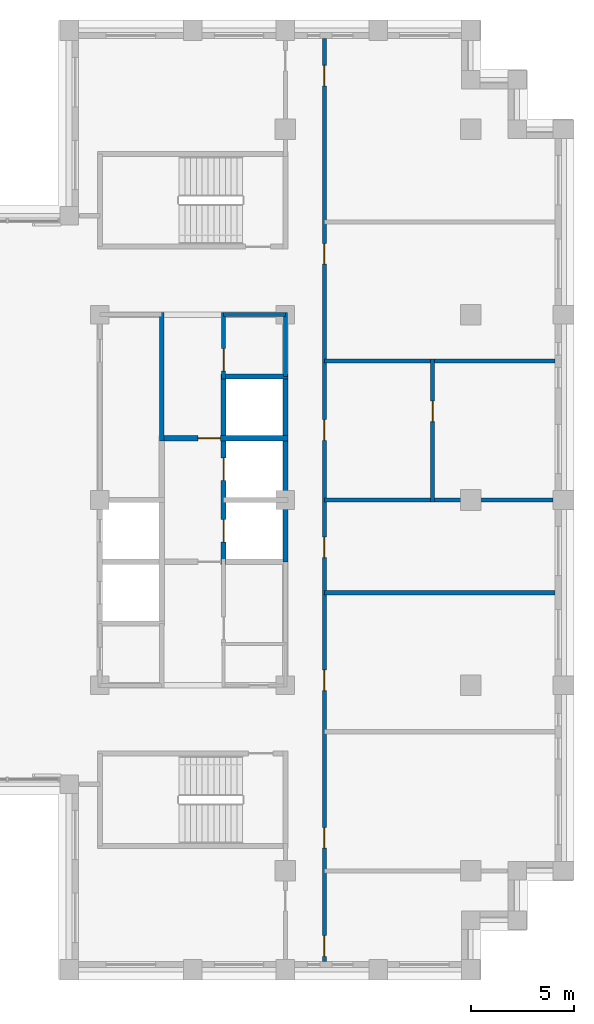
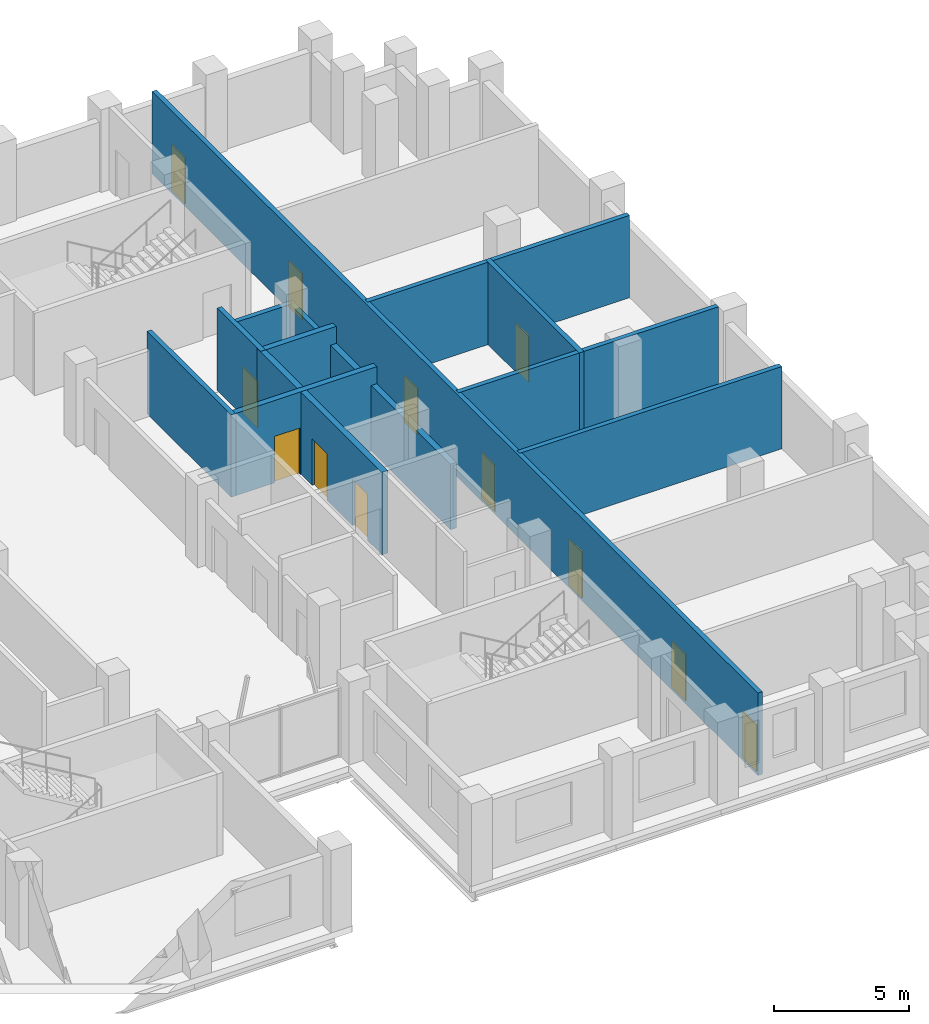
# One storey, part 9 of 15: 13 walls, 12 doors, 12 openings.
"""IFC4 building model written with IfcOpenShell, lengths in metres."""

from ifc_helpers import new_model, si_unit, direction, frame, frame_2d, origin, place, context, subcontext, project, spatial, rectangle, extrude, material, layer, layer_set, type_object, element, fill, save


model = new_model("IFC4")

# Units and contexts
model_context = context("Model", 3, precision=1e-05, world=origin(), true_north=direction((0.0, 1.0)))
body_context = subcontext(model_context, "Body", "Model", "MODEL_VIEW")
ifc_project = project(units=[si_unit("LENGTHUNIT", "METRE"), si_unit("AREAUNIT", "SQUARE_METRE"), si_unit("VOLUMEUNIT", "CUBIC_METRE"), si_unit("PLANEANGLEUNIT", "RADIAN"), si_unit("MASSUNIT", "GRAM", prefix="KILO")], contexts=[model_context])

# Site, building, storey
site_placement = place(None, origin())
site = spatial("IfcSite", under=ifc_project, at=site_placement, CompositionType="ELEMENT")
building_placement = place(site_placement, origin())
building = spatial("IfcBuilding", under=site, at=building_placement, Name="Corbelhall Arena Tower", CompositionType="ELEMENT")
storey_placement = place(building_placement, frame((0.0, 0.0, 228.0)))
storey = spatial("IfcBuildingStorey", under=building, at=storey_placement, Name="L48", CompositionType="ELEMENT", Elevation=228.0)

# Wall, openings, doors
ifc_material_1 = material(Name="Gypsum board on steel stud, acoustic", Category="steel")
ifc_layer_1 = layer(ifc_material_1, 0.199951171875)
ifc_layer_set_1 = layer_set([ifc_layer_1], Name="IN-W-DM200")
wall_type_1 = type_object("IfcWallType", Name="IN-W-DM200", PredefinedType="PARTITIONING", material=ifc_layer_set_1)
wall_1_placement = place(storey_placement, frame((15.39990234375, 22.39990234375, 0.0), z_axis=(0.0, 0.0, 1.0), x_axis=(0.0, -1.0, 0.0)))
wall_1 = element("IfcWall", 1, at=wall_1_placement, inside=storey, type_object=wall_type_1, Name="Partition 027", PredefinedType="PARTITIONING", context=body_context, shape_type="SweptSolid", body=[
    extrude(rectangle(XDim=44.7998046875, YDim=0.199951171875, at=frame_2d((22.39990234375, 0.0))), origin(), (0.0, 0.0, 1.0), 3.719970703125),
])
opening_1_placement = place(wall_1_placement, frame((18.5, 0.0, 0.0)))
opening_1 = element("IfcOpeningElement", 2, at=opening_1_placement, cuts=wall_1, Name="Opening 15029", PredefinedType="OPENING", context=body_context, shape_type="SweptSolid", body=[
    extrude(rectangle(XDim=1.0, YDim=2.10009765625, at=frame_2d((0.5, 1.050048828125))), frame((0.0, 0.10009765625, 0.0), z_axis=(0.0, -1.0, 0.0), x_axis=(1.0, 0.0, 0.0)), (0.0, 0.0, 1.0), 0.199951171875),
])
opening_2_placement = place(wall_1_placement, frame((9.949951171875, 0.0, 0.0)))
opening_2 = element("IfcOpeningElement", 3, at=opening_2_placement, cuts=wall_1, Name="Opening 15031", PredefinedType="OPENING", context=body_context, shape_type="SweptSolid", body=[
    extrude(rectangle(XDim=1.0, YDim=2.10009765625, at=frame_2d((0.5, 1.050048828125))), frame((0.0, 0.10009765625, 0.0), z_axis=(0.0, -1.0, 0.0), x_axis=(1.0, 0.0, 0.0)), (0.0, 0.0, 1.0), 0.199951171875),
])
opening_3_placement = place(wall_1_placement, frame((1.300048828125, 0.0, 0.0)))
opening_3 = element("IfcOpeningElement", 4, at=opening_3_placement, cuts=wall_1, Name="Opening 15032", PredefinedType="OPENING", context=body_context, shape_type="SweptSolid", body=[
    extrude(rectangle(XDim=1.0, YDim=2.10009765625, at=frame_2d((0.5, 1.050048828125))), frame((0.0, 0.10009765625, 0.0), z_axis=(0.0, -1.0, 0.0), x_axis=(1.0, 0.0, 0.0)), (0.0, 0.0, 1.0), 0.199951171875),
])
opening_4_placement = place(wall_1_placement, frame((43.550048828125, 0.0, 0.0)))
opening_4 = element("IfcOpeningElement", 5, at=opening_4_placement, cuts=wall_1, Name="Opening 15033", PredefinedType="OPENING", context=body_context, shape_type="SweptSolid", body=[
    extrude(rectangle(XDim=1.0, YDim=2.10009765625, at=frame_2d((0.5, 1.050048828125))), frame((0.0, 0.10009765625, 0.0), z_axis=(0.0, -1.0, 0.0), x_axis=(1.0, 0.0, 0.0)), (0.0, 0.0, 1.0), 0.199951171875),
])
opening_5_placement = place(wall_1_placement, frame((38.300048828125, 0.0, 0.0)))
opening_5 = element("IfcOpeningElement", 6, at=opening_5_placement, cuts=wall_1, Name="Opening 15034", PredefinedType="OPENING", context=body_context, shape_type="SweptSolid", body=[
    extrude(rectangle(XDim=1.0, YDim=2.10009765625, at=frame_2d((0.5, 1.050048828125))), frame((0.0, 0.10009765625, 0.0), z_axis=(0.0, -1.0, 0.0), x_axis=(1.0, 0.0, 0.0)), (0.0, 0.0, 1.0), 0.199951171875),
])
opening_6_placement = place(wall_1_placement, frame((30.64990234375, 0.0, 0.0)))
opening_6 = element("IfcOpeningElement", 7, at=opening_6_placement, cuts=wall_1, Name="Opening 15035", PredefinedType="OPENING", context=body_context, shape_type="SweptSolid", body=[
    extrude(rectangle(XDim=1.0, YDim=2.10009765625, at=frame_2d((0.5, 1.050048828125))), frame((0.0, 0.10009765625, 0.0), z_axis=(0.0, -1.0, 0.0), x_axis=(1.0, 0.0, 0.0)), (0.0, 0.0, 1.0), 0.199951171875),
])
opening_7_placement = place(wall_1_placement, frame((24.199951171875, 0.0, 0.0)))
opening_7 = element("IfcOpeningElement", 8, at=opening_7_placement, cuts=wall_1, Name="Opening 15036", PredefinedType="OPENING", context=body_context, shape_type="SweptSolid", body=[
    extrude(rectangle(XDim=1.0, YDim=2.10009765625, at=frame_2d((0.5, 1.050048828125))), frame((0.0, 0.10009765625, 0.0), z_axis=(0.0, -1.0, 0.0), x_axis=(1.0, 0.0, 0.0)), (0.0, 0.0, 1.0), 0.199951171875),
])
ifc_material_2 = material(Name="Steel door set", Category="steel")
door_type_1 = type_object("IfcDoorType", Name="IN-D-SW100", OperationType="NOTDEFINED", PredefinedType="DOOR", material=ifc_material_2)
door_1_placement = place(opening_1_placement, origin())
door_1 = element("IfcDoor", 9, at=door_1_placement, inside=storey, type_object=door_type_1, Name="Door 029", OperationType="SINGLE_SWING_RIGHT", OverallHeight=2.10009765625, OverallWidth=1.0, PredefinedType="DOOR", context=body_context, shape_type="SweptSolid", body=[
    extrude(rectangle(XDim=1.0, YDim=2.10009765625, at=frame_2d((0.5, 1.050048828125))), frame((0.0, 0.02490234375, 0.0), z_axis=(0.0, -1.0, 0.0), x_axis=(1.0, 0.0, 0.0)), (0.0, 0.0, 1.0), 0.050048828125),
])
fill(opening_1, door_1)
door_2_placement = place(opening_2_placement, origin())
door_2 = element("IfcDoor", 10, at=door_2_placement, inside=storey, type_object=door_type_1, Name="Door 031", OperationType="SINGLE_SWING_RIGHT", OverallHeight=2.10009765625, OverallWidth=1.0, PredefinedType="DOOR", context=body_context, shape_type="SweptSolid", body=[
    extrude(rectangle(XDim=1.0, YDim=2.10009765625, at=frame_2d((0.5, 1.050048828125))), frame((0.0, 0.02490234375, 0.0), z_axis=(0.0, -1.0, 0.0), x_axis=(1.0, 0.0, 0.0)), (0.0, 0.0, 1.0), 0.050048828125),
])
fill(opening_2, door_2)
door_3_placement = place(opening_3_placement, origin())
door_3 = element("IfcDoor", 11, at=door_3_placement, inside=storey, type_object=door_type_1, Name="Door 032", OperationType="SINGLE_SWING_LEFT", OverallHeight=2.10009765625, OverallWidth=1.0, PredefinedType="DOOR", context=body_context, shape_type="SweptSolid", body=[
    extrude(rectangle(XDim=1.0, YDim=2.10009765625, at=frame_2d((0.5, 1.050048828125))), frame((0.0, 0.02490234375, 0.0), z_axis=(0.0, -1.0, 0.0), x_axis=(1.0, 0.0, 0.0)), (0.0, 0.0, 1.0), 0.050048828125),
])
fill(opening_3, door_3)
door_4_placement = place(opening_4_placement, origin())
door_4 = element("IfcDoor", 12, at=door_4_placement, inside=storey, type_object=door_type_1, Name="Door 033", OperationType="SINGLE_SWING_RIGHT", OverallHeight=2.10009765625, OverallWidth=1.0, PredefinedType="DOOR", context=body_context, shape_type="SweptSolid", body=[
    extrude(rectangle(XDim=1.0, YDim=2.10009765625, at=frame_2d((0.5, 1.050048828125))), frame((0.0, 0.02490234375, 0.0), z_axis=(0.0, -1.0, 0.0), x_axis=(1.0, 0.0, 0.0)), (0.0, 0.0, 1.0), 0.050048828125),
])
fill(opening_4, door_4)
door_5_placement = place(opening_5_placement, origin())
door_5 = element("IfcDoor", 13, at=door_5_placement, inside=storey, type_object=door_type_1, Name="Door 034", OperationType="SINGLE_SWING_LEFT", OverallHeight=2.10009765625, OverallWidth=1.0, PredefinedType="DOOR", context=body_context, shape_type="SweptSolid", body=[
    extrude(rectangle(XDim=1.0, YDim=2.10009765625, at=frame_2d((0.5, 1.050048828125))), frame((0.0, 0.02490234375, 0.0), z_axis=(0.0, -1.0, 0.0), x_axis=(1.0, 0.0, 0.0)), (0.0, 0.0, 1.0), 0.050048828125),
])
fill(opening_5, door_5)
door_6_placement = place(opening_6_placement, origin())
door_6 = element("IfcDoor", 14, at=door_6_placement, inside=storey, type_object=door_type_1, Name="Door 035", OperationType="SINGLE_SWING_RIGHT", OverallHeight=2.10009765625, OverallWidth=1.0, PredefinedType="DOOR", context=body_context, shape_type="SweptSolid", body=[
    extrude(rectangle(XDim=1.0, YDim=2.10009765625, at=frame_2d((0.5, 1.050048828125))), frame((0.0, 0.02490234375, 0.0), z_axis=(0.0, -1.0, 0.0), x_axis=(1.0, 0.0, 0.0)), (0.0, 0.0, 1.0), 0.050048828125),
])
fill(opening_6, door_6)
door_7_placement = place(opening_7_placement, origin())
door_7 = element("IfcDoor", 15, at=door_7_placement, inside=storey, type_object=door_type_1, Name="Door 036", OperationType="SINGLE_SWING_LEFT", OverallHeight=2.10009765625, OverallWidth=1.0, PredefinedType="DOOR", context=body_context, shape_type="SweptSolid", body=[
    extrude(rectangle(XDim=1.0, YDim=2.10009765625, at=frame_2d((0.5, 1.050048828125))), frame((0.0, 0.02490234375, 0.0), z_axis=(0.0, -1.0, 0.0), x_axis=(1.0, 0.0, 0.0)), (0.0, 0.0, 1.0), 0.050048828125),
])
fill(opening_7, door_7)

# Walls
for number, where, z_axis, x_axis, name in (
    (16, (15.39990234375, -4.5, 0.0), (0.0, 0.0, 1.0), (1.0, 0.0, 0.0), "Partition 029"),
    (17, (15.39990234375, 6.75, 0.0), (0.0, 0.0, 1.0), (1.0, 0.0, 0.0), "Partition 030"),
):
    element("IfcWall", number, at=place(storey_placement, frame(where, z_axis=z_axis, x_axis=x_axis)), inside=storey, type_object=wall_type_1, Name=name, PredefinedType="PARTITIONING", context=body_context, shape_type="SweptSolid", body=[
        extrude(rectangle(XDim=11.2001953125, YDim=0.199951171875, at=frame_2d((5.60009765625, 0.0))), origin(), (0.0, 0.0, 1.0), 3.719970703125),
    ])
wall_2_placement = place(storey_placement, frame((26.5, 0.0, 0.0), z_axis=(0.0, 0.0, 1.0), x_axis=(-1.0, 0.0, 0.0)))
element("IfcWall", 18, at=wall_2_placement, inside=storey, type_object=wall_type_1, Name="Partition 032", PredefinedType="PARTITIONING", context=body_context, shape_type="SweptSolid", body=[
    extrude(rectangle(XDim=11.10009765625, YDim=0.199951171875, at=frame_2d((5.550048828125, 0.0))), origin(), (0.0, 0.0, 1.0), 3.719970703125),
])

# Wall, opening, door
wall_3_placement = place(storey_placement, frame((20.64990234375, 6.85009765625, 0.0), z_axis=(0.0, 0.0, 1.0), x_axis=(0.0, -1.0, 0.0)))
wall_3 = element("IfcWall", 19, at=wall_3_placement, inside=storey, type_object=wall_type_1, Name="Partition 033", PredefinedType="PARTITIONING", context=body_context, shape_type="SweptSolid", body=[
    extrude(rectangle(XDim=6.9501953125, YDim=0.199951171875, at=frame_2d((3.47509765625, 0.0))), origin(), (0.0, 0.0, 1.0), 3.719970703125),
])
opening_8_placement = place(wall_3_placement, frame((2.050048828125, 0.0, 0.0)))
opening_8 = element("IfcOpeningElement", 20, at=opening_8_placement, cuts=wall_3, Name="Opening 15030", PredefinedType="OPENING", context=body_context, shape_type="SweptSolid", body=[
    extrude(rectangle(XDim=1.0, YDim=2.10009765625, at=frame_2d((0.5, 1.050048828125))), frame((0.0, 0.10009765625, 0.0), z_axis=(0.0, -1.0, 0.0), x_axis=(1.0, 0.0, 0.0)), (0.0, 0.0, 1.0), 0.199951171875),
])
door_8_placement = place(opening_8_placement, origin())
door_8 = element("IfcDoor", 21, at=door_8_placement, inside=storey, type_object=door_type_1, Name="Door 030", OperationType="SINGLE_SWING_LEFT", OverallHeight=2.10009765625, OverallWidth=1.0, PredefinedType="DOOR", context=body_context, shape_type="SweptSolid", body=[
    extrude(rectangle(XDim=1.0, YDim=2.10009765625, at=frame_2d((0.5, 1.050048828125))), frame((0.0, 0.02490234375, 0.0), z_axis=(0.0, -1.0, 0.0), x_axis=(1.0, 0.0, 0.0)), (0.0, 0.0, 1.0), 0.050048828125),
])
fill(opening_8, door_8)

# Wall
ifc_material_3 = material(Name="Concrete block wall", Category="concrete")
ifc_layer_2 = layer(ifc_material_3, 0.199951171875)
ifc_layer_set_2 = layer_set([ifc_layer_2], Name="IN-W-RS200")
wall_type_2 = type_object("IfcWallType", Name="IN-W-RS200", PredefinedType="SOLIDWALL", material=ifc_layer_set_2)
wall_4_placement = place(storey_placement, frame((7.5, 9.10009765625, 0.0), z_axis=(0.0, 0.0, 1.0), x_axis=(0.0, -1.0, 0.0)))
element("IfcWall", 22, at=wall_4_placement, inside=storey, type_object=wall_type_2, Name="Partition 048", PredefinedType="SOLIDWALL", context=body_context, shape_type="SweptSolid", body=[
    extrude(rectangle(XDim=6.22509765625, YDim=0.199951171875, at=frame_2d((3.112548828125, 0.0))), origin(), (0.0, 0.0, 1.0), 3.719970703125),
])

# Wall, opening, door
wall_5_placement = place(storey_placement, frame((10.5, 9.10009765625, 0.0), z_axis=(0.0, 0.0, 1.0), x_axis=(0.0, -1.0, 0.0)))
wall_5 = element("IfcWall", 23, at=wall_5_placement, inside=storey, type_object=wall_type_2, Name="Partition 051", PredefinedType="SOLIDWALL", context=body_context, shape_type="SweptSolid", body=[
    extrude(rectangle(XDim=3.22509765625, YDim=0.199951171875, at=frame_2d((1.612548828125, 0.0))), origin(), (0.0, 0.0, 1.0), 3.719970703125),
])
opening_9_placement = place(wall_5_placement, frame((1.75, 0.0, 0.0)))
opening_9 = element("IfcOpeningElement", 24, at=opening_9_placement, cuts=wall_5, Name="Opening 15014", PredefinedType="OPENING", context=body_context, shape_type="SweptSolid", body=[
    extrude(rectangle(XDim=1.10009765625, YDim=2.10009765625, at=frame_2d((0.550048828125, 1.050048828125))), frame((0.0, 0.10009765625, 0.0), z_axis=(0.0, -1.0, 0.0), x_axis=(1.0, 0.0, 0.0)), (0.0, 0.0, 1.0), 0.199951171875),
])
door_type_2 = type_object("IfcDoorType", Name="IN-D-FD110", OperationType="NOTDEFINED", PredefinedType="DOOR", material=ifc_material_2)
door_9_placement = place(opening_9_placement, origin())
door_9 = element("IfcDoor", 25, at=door_9_placement, inside=storey, type_object=door_type_2, Name="Door 014", OperationType="SINGLE_SWING_LEFT", OverallHeight=2.10009765625, OverallWidth=1.10009765625, PredefinedType="DOOR", context=body_context, shape_type="SweptSolid", body=[
    extrude(rectangle(XDim=1.10009765625, YDim=2.10009765625, at=frame_2d((0.550048828125, 1.050048828125))), frame((0.0, 0.02490234375, 0.0), z_axis=(0.0, -1.0, 0.0), x_axis=(1.0, 0.0, 0.0)), (0.0, 0.0, 1.0), 0.050048828125),
])
fill(opening_9, door_9)

# Walls
ifc_layer_3 = layer(ifc_material_3, 0.199951171875)
ifc_layer_set_3 = layer_set([ifc_layer_3], Name="IN-W-RS200 under beam 762 mm")
wall_type_3 = type_object("IfcWallType", Name="IN-W-RS200 under beam 762 mm", PredefinedType="SOLIDWALL", material=ifc_layer_set_3)
wall_6_placement = place(storey_placement, frame((10.5, 9.0, 0.0), z_axis=(0.0, 0.0, 1.0), x_axis=(1.0, 0.0, 0.0)))
element("IfcWall", 26, at=wall_6_placement, inside=storey, type_object=wall_type_3, Name="Partition 050", PredefinedType="SOLIDWALL", context=body_context, shape_type="SweptSolid", body=[
    extrude(rectangle(XDim=3.0, YDim=0.199951171875, at=frame_2d((1.5, 0.0))), origin(), (0.0, 0.0, 1.0), 2.9580078125),
])
wall_7_placement = place(storey_placement, frame((13.5, 9.10009765625, 0.0), z_axis=(0.0, 0.0, 1.0), x_axis=(0.0, -1.0, 0.0)))
element("IfcWall", 27, at=wall_7_placement, inside=storey, type_object=wall_type_3, Name="Partition 053", PredefinedType="SOLIDWALL", context=body_context, shape_type="SweptSolid", body=[
    extrude(rectangle(XDim=3.10009765625, YDim=0.199951171875, at=frame_2d((1.550048828125, 0.0))), origin(), (0.0, 0.0, 1.0), 2.9580078125),
])

# Wall, opening, door
ifc_material_4 = material(Name="Concrete C40/50", Category="concrete")
ifc_layer_4 = layer(ifc_material_4, 0.25)
ifc_layer_set_4 = layer_set([ifc_layer_4], Name="IN-W-SH250")
wall_type_4 = type_object("IfcWallType", Name="IN-W-SH250", PredefinedType="SOLIDWALL", material=ifc_layer_set_4)
wall_8_placement = place(storey_placement, frame((7.5, 3.0, 0.0), z_axis=(0.0, 0.0, 1.0), x_axis=(1.0, 0.0, 0.0)))
wall_8 = element("IfcWall", 28, at=wall_8_placement, inside=storey, type_object=wall_type_4, Name="Shaft wall 068", PredefinedType="SOLIDWALL", context=body_context, shape_type="SweptSolid", body=[
    extrude(rectangle(XDim=6.125, YDim=0.25, at=frame_2d((3.0625, 0.0))), origin(), (0.0, 0.0, 1.0), 3.719970703125),
])
opening_10_placement = place(wall_8_placement, frame((1.75, 0.0, 0.0)))
opening_10 = element("IfcOpeningElement", 29, at=opening_10_placement, cuts=wall_8, Name="Opening 15011", PredefinedType="OPENING", context=body_context, shape_type="SweptSolid", body=[
    extrude(rectangle(XDim=1.10009765625, YDim=2.10009765625, at=frame_2d((0.550048828125, 1.050048828125))), frame((0.0, 0.125, 0.0), z_axis=(0.0, -1.0, 0.0), x_axis=(1.0, 0.0, 0.0)), (0.0, 0.0, 1.0), 0.25),
])
door_10_placement = place(opening_10_placement, origin())
door_10 = element("IfcDoor", 30, at=door_10_placement, inside=storey, type_object=door_type_2, Name="Door 011", OperationType="SINGLE_SWING_RIGHT", OverallHeight=2.10009765625, OverallWidth=1.10009765625, PredefinedType="DOOR", context=body_context, shape_type="SweptSolid", body=[
    extrude(rectangle(XDim=1.10009765625, YDim=2.10009765625, at=frame_2d((0.550048828125, 1.050048828125))), frame((0.0, 0.02490234375, 0.0), z_axis=(0.0, -1.0, 0.0), x_axis=(1.0, 0.0, 0.0)), (0.0, 0.0, 1.0), 0.050048828125),
])
fill(opening_10, door_10)

# Wall, openings, doors
wall_9_placement = place(storey_placement, frame((10.5, 6.125, 0.0), z_axis=(0.0, 0.0, 1.0), x_axis=(0.0, -1.0, 0.0)))
wall_9 = element("IfcWall", 31, at=wall_9_placement, inside=storey, type_object=wall_type_4, Name="Shaft wall 070", PredefinedType="SOLIDWALL", context=body_context, shape_type="SweptSolid", body=[
    extrude(rectangle(XDim=9.25, YDim=0.25, at=frame_2d((4.625, 0.0))), origin(), (0.0, 0.0, 1.0), 3.719970703125),
])
opening_11_placement = place(wall_9_placement, frame((7.074951171875, 0.0, 0.0)))
opening_11 = element("IfcOpeningElement", 32, at=opening_11_placement, cuts=wall_9, Name="Opening LD", PredefinedType="OPENING", context=body_context, shape_type="SweptSolid", body=[
    extrude(rectangle(XDim=1.10009765625, YDim=2.10009765625, at=frame_2d((0.550048828125, 1.050048828125))), frame((0.0, 0.125, 0.0), z_axis=(0.0, -1.0, 0.0), x_axis=(1.0, 0.0, 0.0)), (0.0, 0.0, 1.0), 0.25),
])
opening_12_placement = place(wall_9_placement, frame((4.074951171875, 0.0, 0.0)))
opening_12 = element("IfcOpeningElement", 33, at=opening_12_placement, cuts=wall_9, Name="Opening LD", PredefinedType="OPENING", context=body_context, shape_type="SweptSolid", body=[
    extrude(rectangle(XDim=1.10009765625, YDim=2.10009765625, at=frame_2d((0.550048828125, 1.050048828125))), frame((0.0, 0.125, 0.0), z_axis=(0.0, -1.0, 0.0), x_axis=(1.0, 0.0, 0.0)), (0.0, 0.0, 1.0), 0.25),
])
door_type_3 = type_object("IfcDoorType", Name="IN-D-LD110", OperationType="NOTDEFINED", PredefinedType="DOOR", material=ifc_material_2)
door_11_placement = place(opening_11_placement, origin())
door_11 = element("IfcDoor", 34, at=door_11_placement, inside=storey, type_object=door_type_3, Name="Landing door E3", OperationType="SLIDING_TO_LEFT", OverallHeight=2.10009765625, OverallWidth=1.10009765625, PredefinedType="DOOR", context=body_context, shape_type="SweptSolid", body=[
    extrude(rectangle(XDim=1.10009765625, YDim=2.10009765625, at=frame_2d((0.550048828125, 1.050048828125))), frame((0.0, 0.02490234375, 0.0), z_axis=(0.0, -1.0, 0.0), x_axis=(1.0, 0.0, 0.0)), (0.0, 0.0, 1.0), 0.050048828125),
])
fill(opening_11, door_11)
door_12_placement = place(opening_12_placement, origin())
door_12 = element("IfcDoor", 35, at=door_12_placement, inside=storey, type_object=door_type_3, Name="Landing door E4", OperationType="SLIDING_TO_LEFT", OverallHeight=2.10009765625, OverallWidth=1.10009765625, PredefinedType="DOOR", context=body_context, shape_type="SweptSolid", body=[
    extrude(rectangle(XDim=1.10009765625, YDim=2.10009765625, at=frame_2d((0.550048828125, 1.050048828125))), frame((0.0, 0.02490234375, 0.0), z_axis=(0.0, -1.0, 0.0), x_axis=(1.0, 0.0, 0.0)), (0.0, 0.0, 1.0), 0.050048828125),
])
fill(opening_12, door_12)

# Walls
wall_10_placement = place(storey_placement, frame((10.5, 6.0, 0.0), z_axis=(0.0, 0.0, 1.0), x_axis=(1.0, 0.0, 0.0)))
element("IfcWall", 36, at=wall_10_placement, inside=storey, type_object=wall_type_4, Name="Shaft wall 071", PredefinedType="SOLIDWALL", context=body_context, shape_type="SweptSolid", body=[
    extrude(rectangle(XDim=3.125, YDim=0.25, at=frame_2d((1.5625, 0.0))), origin(), (0.0, 0.0, 1.0), 3.719970703125),
])
ifc_layer_5 = layer(ifc_material_4, 0.25)
ifc_layer_set_5 = layer_set([ifc_layer_5], Name="IN-W-SH250 under beam 762 mm")
wall_type_5 = type_object("IfcWallType", Name="IN-W-SH250 under beam 762 mm", PredefinedType="SOLIDWALL", material=ifc_layer_set_5)
wall_11_placement = place(storey_placement, frame((13.5, 6.0, 0.0), z_axis=(0.0, 0.0, 1.0), x_axis=(0.0, -1.0, 0.0)))
element("IfcWall", 37, at=wall_11_placement, inside=storey, type_object=wall_type_5, Name="Shaft wall 072", PredefinedType="SOLIDWALL", context=body_context, shape_type="SweptSolid", body=[
    extrude(rectangle(XDim=9.0, YDim=0.25, at=frame_2d((4.5, 0.0))), origin(), (0.0, 0.0, 1.0), 2.9580078125),
])

save(model, "model.ifc")
